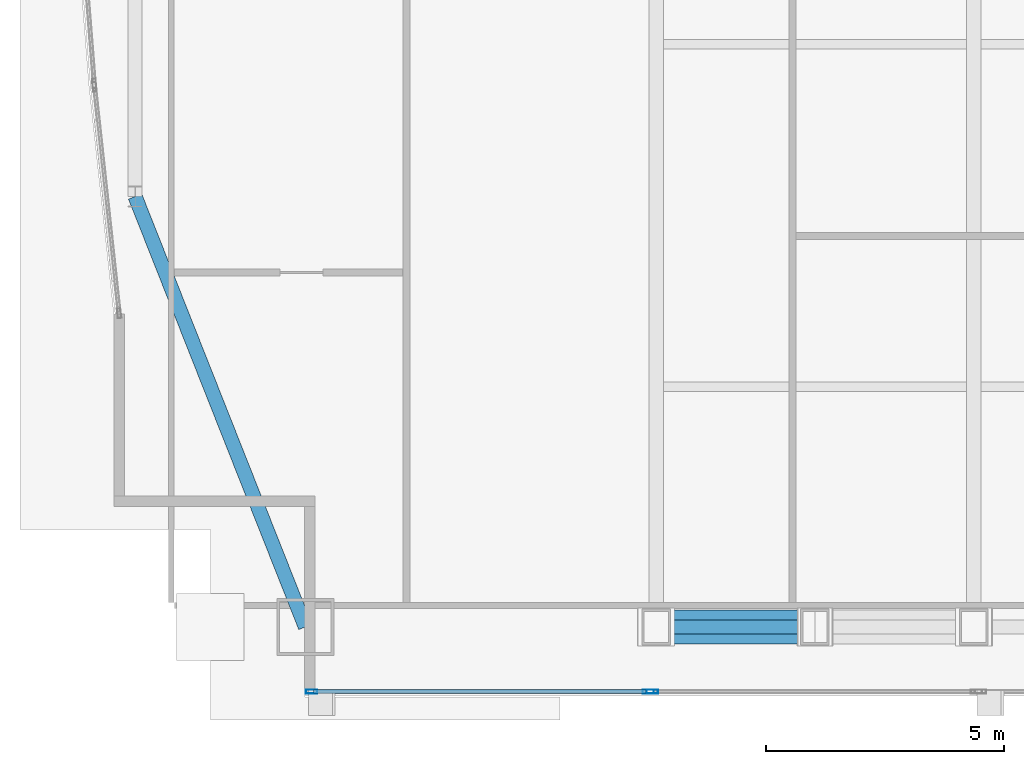
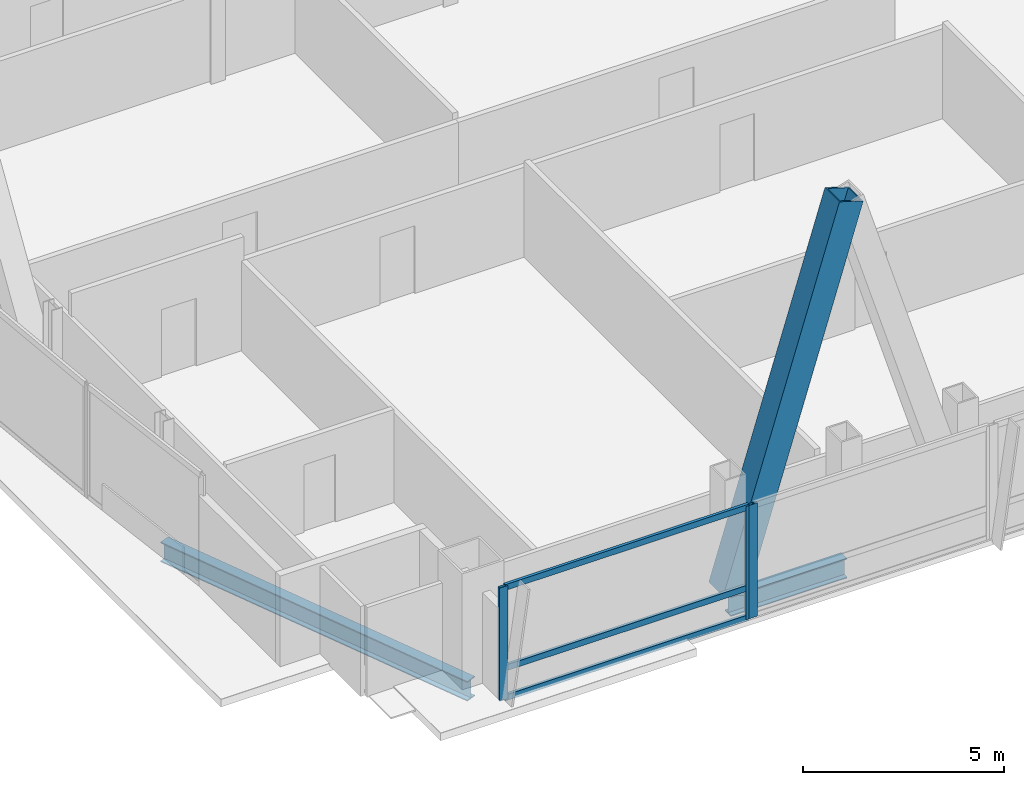
# One storey, part 5 of 32: 7 members, 2 beams, 2 elements without a shape of their own.
"""IFC4 building model written with IfcOpenShell, lengths in metres."""

from ifc_helpers import new_model, si_unit, direction, frame, origin, origin_2d, place, context, subcontext, project, spatial, hollow_rectangle, i_section, extrude, material, material_profile, profile_set, type_object, element, aggregate, save


model = new_model("IFC4")

# Units and contexts
model_context = context("Model", 3, precision=1e-05, world=origin(), true_north=direction((0.0, 1.0)))
body_context = subcontext(model_context, "Body", "Model", "MODEL_VIEW")
ifc_project = project(units=[si_unit("LENGTHUNIT", "METRE"), si_unit("AREAUNIT", "SQUARE_METRE"), si_unit("VOLUMEUNIT", "CUBIC_METRE"), si_unit("PLANEANGLEUNIT", "RADIAN"), si_unit("MASSUNIT", "GRAM", prefix="KILO")], contexts=[model_context])

# Site, building, storey
site_placement = place(None, origin())
site = spatial("IfcSite", under=ifc_project, at=site_placement, CompositionType="ELEMENT")
building_placement = place(site_placement, origin())
building = spatial("IfcBuilding", under=site, at=building_placement, Name="Khoronbel Lancet Exchange", CompositionType="ELEMENT")
storey_placement = place(building_placement, frame((0.0, 0.0, 188.60009765625)))
storey = spatial("IfcBuildingStorey", under=building, at=storey_placement, Name="L47", CompositionType="ELEMENT", Elevation=188.60009765625)

# Beams
ifc_material_1 = material(Name="Steel S355", Category="steel")
ifc_material_profile_1 = material_profile(ifc_material_1, i_section(OverallWidth=0.300048828125, OverallDepth=0.60009765625, WebThickness=0.015380859375, FlangeThickness=0.030029296875, at=origin_2d()), Name="HEB 600")
ifc_profile_set_1 = profile_set([ifc_material_profile_1], Name="Steel S355")
beam_type = type_object("IfcBeamType", Name="BM-BSP2", PredefinedType="SPANDREL", material=ifc_profile_set_1)
beam_1_placement = place(storey_placement, frame((18.22509765625, 10.14990234375, -0.460205078125), z_axis=(1.0, 0.0, 0.0), x_axis=(0.0, 1.0, 0.0)))
element("IfcBeam", 1, at=beam_1_placement, inside=storey, type_object=beam_type, Name="Level L47 perimeter spandrel beam SP01", PredefinedType="SPANDREL", context=body_context, shape_type="SweptSolid", body=[
    extrude(i_section(OverallWidth=0.300048828125, OverallDepth=0.60009765625, WebThickness=0.015380859375, FlangeThickness=0.030029296875, at=origin_2d()), origin(), (0.0, 0.0, 1.0), 3.33740234375),
])
beam_2_placement = place(storey_placement, frame((7.27001953125, 19.199951171875, -0.460205078125), z_axis=(0.367850095026, -0.92988510451, 0.0), x_axis=(0.92988510451, 0.367850095026, 0.0)))
element("IfcBeam", 2, at=beam_2_placement, inside=storey, type_object=beam_type, Name="Level L47 perimeter spandrel beam SP19", PredefinedType="SPANDREL", context=body_context, shape_type="SweptSolid", body=[
    extrude(i_section(OverallWidth=0.300048828125, OverallDepth=0.60009765625, WebThickness=0.015380859375, FlangeThickness=0.030029296875, at=origin_2d()), origin(), (0.0, 0.0, 1.0), 9.732421875),
])

# Curtain wall, members
ifc_material_2 = material(Name="Low-E Solar Control Insulating Glass", Category="glass")
curtain_wall_type = type_object("IfcCurtainWallType", Name="CW-3", PredefinedType="NOTDEFINED", material=ifc_material_2)
curtain_wall_1_placement = place(storey_placement, origin())
curtain_wall_1 = element("IfcCurtainWall", 3, at=curtain_wall_1_placement, inside=storey, type_object=curtain_wall_type, Name="Unitised curtain wall CW-L47-SWV", PredefinedType="NOTDEFINED")
ifc_material_3 = material(Name="Bronze-Anodised Aluminium 6063-T6", Category="aluminium")
ifc_material_profile_2 = material_profile(ifc_material_3, hollow_rectangle(XDim=0.0849609375, YDim=0.239990234375, WallThickness=0.006103515625, at=origin_2d()), Name="ALU MULLION 85x240")
ifc_profile_set_2 = profile_set([ifc_material_profile_2], Name="Bronze-Anodised Aluminium 6063-T6")
member_type_1 = type_object("IfcMemberType", Name="MEM-CWM1", PredefinedType="MULLION", material=ifc_profile_set_2)
member_1_placement = place(storey_placement, frame((10.982421875, 8.7900390625, 0.0), z_axis=(0.0, 0.0, 1.0), x_axis=(0.0, 1.0, 0.0)))
member_1 = element("IfcMember", 4, at=member_1_placement, type_object=member_type_1, Name="CW3 mullion 1", PredefinedType="MULLION", context=body_context, shape_type="SweptSolid", body=[
    extrude(hollow_rectangle(XDim=0.0849609375, YDim=0.239990234375, WallThickness=0.006103515625, at=origin_2d()), origin(), (0.0, 0.0, 1.0), 3.43994140625),
])
member_2_placement = place(storey_placement, frame((18.0576171875, 8.7900390625, 0.0), z_axis=(0.0, 0.0, 1.0), x_axis=(0.0, 1.0, 0.0)))
member_2 = element("IfcMember", 5, at=member_2_placement, type_object=member_type_1, Name="CW3 mullion 2", PredefinedType="MULLION", context=body_context, shape_type="SweptSolid", body=[
    extrude(hollow_rectangle(XDim=0.0849609375, YDim=0.239990234375, WallThickness=0.006103515625, at=origin_2d()), origin(), (0.0, 0.0, 1.0), 3.43994140625),
])

# Curtain wall, member
curtain_wall_2_placement = place(storey_placement, origin())
curtain_wall_2 = element("IfcCurtainWall", 6, at=curtain_wall_2_placement, inside=storey, type_object=curtain_wall_type, Name="Unitised curtain wall CW-L47-SWB", PredefinedType="NOTDEFINED")
member_3_placement = place(storey_placement, frame((18.142578125, 8.7900390625, 0.0), z_axis=(0.0, 0.0, 1.0), x_axis=(0.0, 1.0, 0.0)))
member_3 = element("IfcMember", 7, at=member_3_placement, type_object=member_type_1, Name="CW3 mullion 1", PredefinedType="MULLION", context=body_context, shape_type="SweptSolid", body=[
    extrude(hollow_rectangle(XDim=0.0849609375, YDim=0.239990234375, WallThickness=0.006103515625, at=origin_2d()), origin(), (0.0, 0.0, 1.0), 3.43994140625),
])
aggregate(curtain_wall_2, [member_3])

# Member
ifc_material_profile_3 = material_profile(ifc_material_3, hollow_rectangle(XDim=0.0849609375, YDim=0.179931640625, WallThickness=0.0048828125, at=origin_2d()), Name="ALU TRANSOM 85x180")
ifc_profile_set_3 = profile_set([ifc_material_profile_3], Name="Bronze-Anodised Aluminium 6063-T6")
member_type_2 = type_object("IfcMemberType", Name="MEM-CWT1", PredefinedType="USERDEFINED", material=ifc_profile_set_3)
member_4_placement = place(storey_placement, frame((11.02490234375, 8.7900390625, 0.04248046875), z_axis=(1.0, 0.0, 0.0), x_axis=(0.0, 1.0, 0.0)))
member_4 = element("IfcMember", 8, at=member_4_placement, type_object=member_type_2, Name="CW3 transom 1.1", ObjectType="TRANSOM", PredefinedType="USERDEFINED", context=body_context, shape_type="SweptSolid", body=[
    extrude(hollow_rectangle(XDim=0.0849609375, YDim=0.179931640625, WallThickness=0.0048828125, at=origin_2d()), origin(), (0.0, 0.0, 1.0), 6.989990234375),
])

member_5_placement = place(storey_placement, frame((11.02490234375, 8.7900390625, 0.949951171875), z_axis=(1.0, 0.0, 0.0), x_axis=(0.0, 1.0, 0.0)))
member_5 = element("IfcMember", 9, at=member_5_placement, type_object=member_type_2, Name="CW3 transom 1.2", ObjectType="TRANSOM", PredefinedType="USERDEFINED", context=body_context, shape_type="SweptSolid", body=[
    extrude(hollow_rectangle(XDim=0.0849609375, YDim=0.179931640625, WallThickness=0.0048828125, at=origin_2d()), origin(), (0.0, 0.0, 1.0), 6.989990234375),
])

member_6_placement = place(storey_placement, frame((11.02490234375, 8.7900390625, 3.3974609375), z_axis=(1.0, 0.0, 0.0), x_axis=(0.0, 1.0, 0.0)))
member_6 = element("IfcMember", 10, at=member_6_placement, type_object=member_type_2, Name="CW3 transom 1.3", ObjectType="TRANSOM", PredefinedType="USERDEFINED", context=body_context, shape_type="SweptSolid", body=[
    extrude(hollow_rectangle(XDim=0.0849609375, YDim=0.179931640625, WallThickness=0.0048828125, at=origin_2d()), origin(), (0.0, 0.0, 1.0), 6.989990234375),
])

aggregate(curtain_wall_1, [member_1, member_2, member_4, member_5, member_6])

ifc_material_4 = material(Name="Steel S460", Category="steel")
ifc_material_profile_4 = material_profile(ifc_material_4, hollow_rectangle(XDim=0.719970703125, YDim=0.719970703125, WallThickness=0.050048828125, at=origin_2d()), Name="BOX 720x720x50")
ifc_profile_set_4 = profile_set([ifc_material_profile_4], Name="Steel S460")
member_type_3 = type_object("IfcMemberType", Name="MEM-MB2", PredefinedType="BRACE", material=ifc_profile_set_4)
member_7_placement = place(storey_placement, frame((18.22509765625, 10.14990234375, 0.0), z_axis=(0.295248201357, 0.0, 0.955420587802), x_axis=(0.0, 1.0, 0.0)))
element("IfcMember", 11, at=member_7_placement, inside=storey, type_object=member_type_3, Name="Perimeter lancet brace tier 16 S-W-L", PredefinedType="BRACE", context=body_context, shape_type="SweptSolid", body=[
    extrude(hollow_rectangle(XDim=0.719970703125, YDim=0.719970703125, WallThickness=0.050048828125, at=origin_2d()), origin(), (0.0, 0.0, 1.0), 11.3037109375),
])

save(model, "model.ifc")
